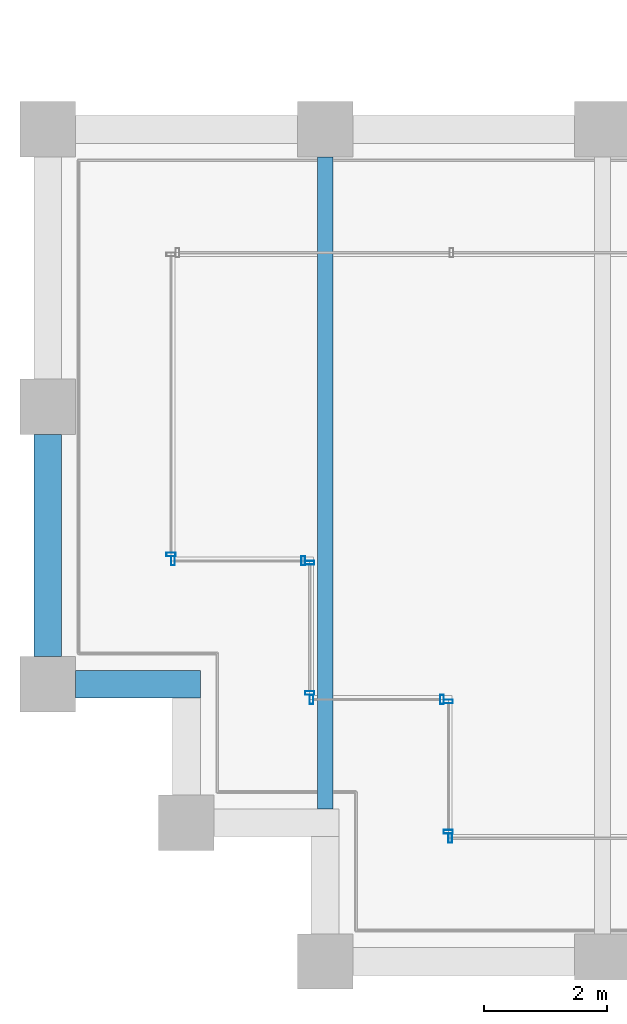
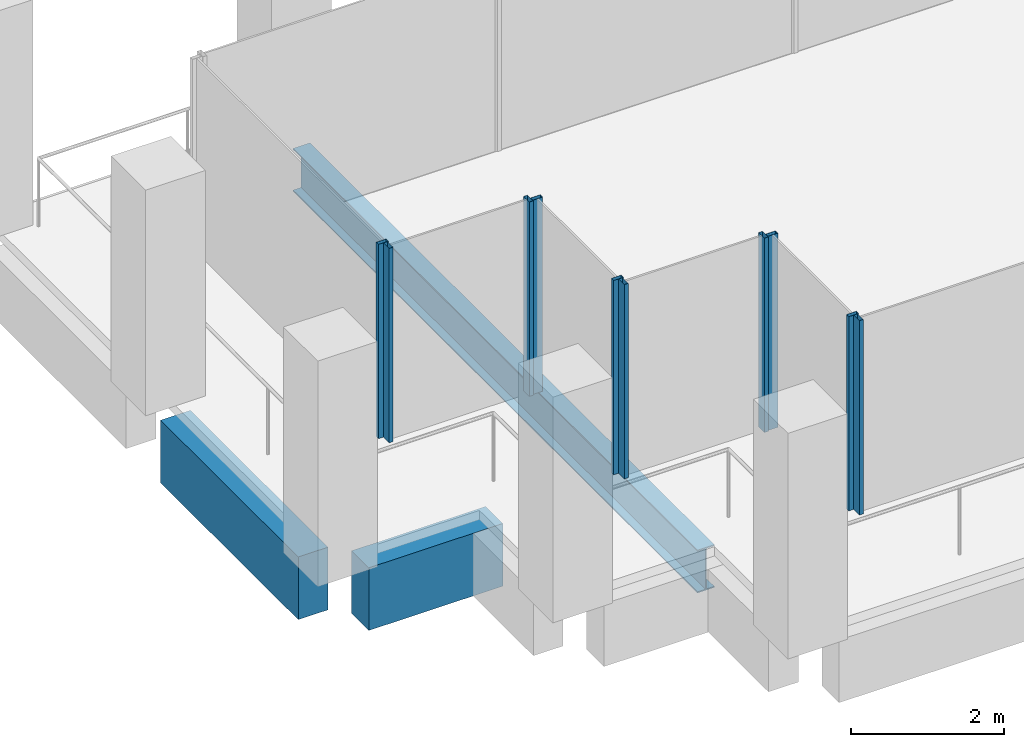
# One storey, part 2 of 40: 10 members, 3 beams, 6 elements without a shape of their own.
"""IFC4 building model written with IfcOpenShell, lengths in metres."""

from ifc_helpers import new_model, si_unit, direction, frame, origin, origin_2d, place, context, subcontext, project, spatial, rectangle, hollow_rectangle, i_section, extrude, material, material_profile, profile_set, type_object, element, aggregate, save


model = new_model("IFC4")

# Units and contexts
model_context = context("Model", 3, precision=1e-05, world=origin(), true_north=direction((0.0, 1.0)))
body_context = subcontext(model_context, "Body", "Model", "MODEL_VIEW")
ifc_project = project(units=[si_unit("LENGTHUNIT", "METRE"), si_unit("AREAUNIT", "SQUARE_METRE"), si_unit("VOLUMEUNIT", "CUBIC_METRE"), si_unit("PLANEANGLEUNIT", "RADIAN"), si_unit("MASSUNIT", "GRAM", prefix="KILO")], contexts=[model_context])

# Site, building, storey
site_placement = place(None, origin())
site = spatial("IfcSite", under=ifc_project, at=site_placement, CompositionType="ELEMENT")
building_placement = place(site_placement, origin())
building = spatial("IfcBuilding", under=site, at=building_placement, Name="Altepetl Exchange Towers", CompositionType="ELEMENT")
storey_placement = place(building_placement, frame((0.0, 0.0, 165.39990234375)))
storey = spatial("IfcBuildingStorey", under=building, at=storey_placement, Name="L41", CompositionType="ELEMENT", Elevation=165.39990234375)

# Beam
ifc_material_1 = material(Name="Steel S355", Category="steel")
ifc_material_profile_1 = material_profile(ifc_material_1, i_section(OverallWidth=0.25390625, OverallDepth=0.68408203125, WebThickness=0.012451171875, FlangeThickness=0.018798828125, at=origin_2d()), Name="W27X94")
ifc_profile_set_1 = profile_set([ifc_material_profile_1], Name="Steel S355")
beam_type_1 = type_object("IfcBeamType", Name="Floor beam W27X94", PredefinedType="BEAM", material=ifc_profile_set_1)
beam_1_placement = place(storey_placement, frame((31.5, 29.47509765625, -0.491943359375), z_axis=(0.0, 1.0, 0.0), x_axis=(-1.0, 0.0, 0.0)))
element("IfcBeam", 1, at=beam_1_placement, inside=storey, type_object=beam_type_1, Name="bm:A:L41:012", PredefinedType="BEAM", context=body_context, shape_type="SweptSolid", body=[
    extrude(i_section(OverallWidth=0.25390625, OverallDepth=0.68408203125, WebThickness=0.012451171875, FlangeThickness=0.018798828125, at=origin_2d()), origin(), (0.0, 0.0, 1.0), 10.574951171875),
])

# Curtain wall, member
ifc_material_2 = material(Name="Aluminium 6063-T6 glazing", Category="aluminium")
curtain_wall_type = type_object("IfcCurtainWallType", Name="Loggia glazing system", PredefinedType="NOTDEFINED", material=ifc_material_2)
curtain_wall_1_placement = place(storey_placement, origin())
curtain_wall_1 = element("IfcCurtainWall", 2, at=curtain_wall_1_placement, inside=storey, type_object=curtain_wall_type, Name="CW1 run", PredefinedType="NOTDEFINED")
ifc_material_3 = material(Name="Aluminium 6063-T6", Category="aluminium")
ifc_material_profile_2 = material_profile(ifc_material_3, hollow_rectangle(XDim=0.06005859375, YDim=0.14990234375, WallThickness=0.0029296875, at=origin_2d()), Name="Mullion 60x150 aluminium")
ifc_profile_set_2 = profile_set([ifc_material_profile_2], Name="Aluminium 6063-T6")
member_type = type_object("IfcMemberType", Name="Mullion 60x150 aluminium", PredefinedType="MULLION", material=ifc_profile_set_2)
member_1_placement = place(storey_placement, frame((29.0, 33.60498046875, 0.0), z_axis=(0.0, 0.0, 1.0), x_axis=(0.0, -1.0, 0.0)))
member_1 = element("IfcMember", 3, at=member_1_placement, type_object=member_type, Name="MU1 mullion", PredefinedType="MULLION", context=body_context, shape_type="SweptSolid", body=[
    extrude(hollow_rectangle(XDim=0.06005859375, YDim=0.14990234375, WallThickness=0.0029296875, at=origin_2d()), origin(), (0.0, 0.0, 1.0), 3.10009765625),
])
aggregate(curtain_wall_1, [member_1])

# Curtain wall, members
curtain_wall_2_placement = place(storey_placement, origin())
curtain_wall_2 = element("IfcCurtainWall", 4, at=curtain_wall_2_placement, inside=storey, type_object=curtain_wall_type, Name="CW1 run", PredefinedType="NOTDEFINED")
member_2_placement = place(storey_placement, frame((29.030029296875, 33.5, 0.0)))
member_2 = element("IfcMember", 5, at=member_2_placement, type_object=member_type, Name="MU1 mullion", PredefinedType="MULLION", context=body_context, shape_type="SweptSolid", body=[
    extrude(hollow_rectangle(XDim=0.06005859375, YDim=0.14990234375, WallThickness=0.0029296875, at=origin_2d()), origin(), (0.0, 0.0, 1.0), 3.10009765625),
])
member_3_placement = place(storey_placement, frame((31.14501953125, 33.5, 0.0)))
member_3 = element("IfcMember", 6, at=member_3_placement, type_object=member_type, Name="MU1 mullion", PredefinedType="MULLION", context=body_context, shape_type="SweptSolid", body=[
    extrude(hollow_rectangle(XDim=0.06005859375, YDim=0.14990234375, WallThickness=0.0029296875, at=origin_2d()), origin(), (0.0, 0.0, 1.0), 3.10009765625),
])
aggregate(curtain_wall_2, [member_2, member_3])

curtain_wall_3_placement = place(storey_placement, origin())
curtain_wall_3 = element("IfcCurtainWall", 7, at=curtain_wall_3_placement, inside=storey, type_object=curtain_wall_type, Name="CW1 run", PredefinedType="NOTDEFINED")
member_4_placement = place(storey_placement, frame((31.25, 33.469970703125, 0.0), z_axis=(0.0, 0.0, 1.0), x_axis=(0.0, -1.0, 0.0)))
member_4 = element("IfcMember", 8, at=member_4_placement, type_object=member_type, Name="MU1 mullion", PredefinedType="MULLION", context=body_context, shape_type="SweptSolid", body=[
    extrude(hollow_rectangle(XDim=0.06005859375, YDim=0.14990234375, WallThickness=0.0029296875, at=origin_2d()), origin(), (0.0, 0.0, 1.0), 3.10009765625),
])
member_5_placement = place(storey_placement, frame((31.25, 31.35498046875, 0.0), z_axis=(0.0, 0.0, 1.0), x_axis=(0.0, -1.0, 0.0)))
member_5 = element("IfcMember", 9, at=member_5_placement, type_object=member_type, Name="MU1 mullion", PredefinedType="MULLION", context=body_context, shape_type="SweptSolid", body=[
    extrude(hollow_rectangle(XDim=0.06005859375, YDim=0.14990234375, WallThickness=0.0029296875, at=origin_2d()), origin(), (0.0, 0.0, 1.0), 3.10009765625),
])
aggregate(curtain_wall_3, [member_4, member_5])

curtain_wall_4_placement = place(storey_placement, origin())
curtain_wall_4 = element("IfcCurtainWall", 10, at=curtain_wall_4_placement, inside=storey, type_object=curtain_wall_type, Name="CW1 run", PredefinedType="NOTDEFINED")
member_6_placement = place(storey_placement, frame((31.280029296875, 31.25, 0.0)))
member_6 = element("IfcMember", 11, at=member_6_placement, type_object=member_type, Name="MU1 mullion", PredefinedType="MULLION", context=body_context, shape_type="SweptSolid", body=[
    extrude(hollow_rectangle(XDim=0.06005859375, YDim=0.14990234375, WallThickness=0.0029296875, at=origin_2d()), origin(), (0.0, 0.0, 1.0), 3.10009765625),
])
member_7_placement = place(storey_placement, frame((33.39501953125, 31.25, 0.0)))
member_7 = element("IfcMember", 12, at=member_7_placement, type_object=member_type, Name="MU1 mullion", PredefinedType="MULLION", context=body_context, shape_type="SweptSolid", body=[
    extrude(hollow_rectangle(XDim=0.06005859375, YDim=0.14990234375, WallThickness=0.0029296875, at=origin_2d()), origin(), (0.0, 0.0, 1.0), 3.10009765625),
])
aggregate(curtain_wall_4, [member_6, member_7])

curtain_wall_5_placement = place(storey_placement, origin())
curtain_wall_5 = element("IfcCurtainWall", 13, at=curtain_wall_5_placement, inside=storey, type_object=curtain_wall_type, Name="CW1 run", PredefinedType="NOTDEFINED")
member_8_placement = place(storey_placement, frame((33.5, 31.219970703125, 0.0), z_axis=(0.0, 0.0, 1.0), x_axis=(0.0, -1.0, 0.0)))
member_8 = element("IfcMember", 14, at=member_8_placement, type_object=member_type, Name="MU1 mullion", PredefinedType="MULLION", context=body_context, shape_type="SweptSolid", body=[
    extrude(hollow_rectangle(XDim=0.06005859375, YDim=0.14990234375, WallThickness=0.0029296875, at=origin_2d()), origin(), (0.0, 0.0, 1.0), 3.10009765625),
])
member_9_placement = place(storey_placement, frame((33.5, 29.10498046875, 0.0), z_axis=(0.0, 0.0, 1.0), x_axis=(0.0, -1.0, 0.0)))
member_9 = element("IfcMember", 15, at=member_9_placement, type_object=member_type, Name="MU1 mullion", PredefinedType="MULLION", context=body_context, shape_type="SweptSolid", body=[
    extrude(hollow_rectangle(XDim=0.06005859375, YDim=0.14990234375, WallThickness=0.0029296875, at=origin_2d()), origin(), (0.0, 0.0, 1.0), 3.10009765625),
])
aggregate(curtain_wall_5, [member_8, member_9])

# Curtain wall, member
curtain_wall_6_placement = place(storey_placement, origin())
curtain_wall_6 = element("IfcCurtainWall", 16, at=curtain_wall_6_placement, inside=storey, type_object=curtain_wall_type, Name="CW1 run", PredefinedType="NOTDEFINED")
member_10_placement = place(storey_placement, frame((33.530029296875, 29.0, 0.0)))
member_10 = element("IfcMember", 17, at=member_10_placement, type_object=member_type, Name="MU1 mullion", PredefinedType="MULLION", context=body_context, shape_type="SweptSolid", body=[
    extrude(hollow_rectangle(XDim=0.06005859375, YDim=0.14990234375, WallThickness=0.0029296875, at=origin_2d()), origin(), (0.0, 0.0, 1.0), 3.10009765625),
])
aggregate(curtain_wall_6, [member_10])

# Beams
ifc_material_4 = material(Name="Concrete C50/60 precast with cantera blanca facing", Category="concrete")
ifc_material_profile_3 = material_profile(ifc_material_4, rectangle(XDim=0.449951171875, YDim=1.0, at=origin_2d()), Name="450 x 1000")
ifc_profile_set_3 = profile_set([ifc_material_profile_3], Name="Concrete C50/60 precast with cantera blanca facing")
beam_type_2 = type_object("IfcBeamType", Name="Spandrel beam 450x1000 cantera blanca", PredefinedType="SPANDREL", material=ifc_profile_set_3)
beam_2_placement = place(storey_placement, frame((27.0, 35.550048828125, -0.64990234375), z_axis=(0.0, -1.0, 0.0), x_axis=(1.0, 0.0, 0.0)))
element("IfcBeam", 18, at=beam_2_placement, inside=storey, type_object=beam_type_2, Name="sp:A:L41:037", PredefinedType="SPANDREL", context=body_context, shape_type="SweptSolid", body=[
    extrude(rectangle(XDim=0.449951171875, YDim=1.0, at=origin_2d()), origin(), (0.0, 0.0, 1.0), 3.60009765625),
])
beam_3_placement = place(storey_placement, frame((27.449951171875, 31.5, -0.64990234375), z_axis=(1.0, 0.0, 0.0), x_axis=(0.0, 1.0, 0.0)))
element("IfcBeam", 19, at=beam_3_placement, inside=storey, type_object=beam_type_2, Name="sp:A:L41:038", PredefinedType="SPANDREL", context=body_context, shape_type="SweptSolid", body=[
    extrude(rectangle(XDim=0.449951171875, YDim=1.0, at=origin_2d()), origin(), (0.0, 0.0, 1.0), 2.025146484375),
])

save(model, "model.ifc")
